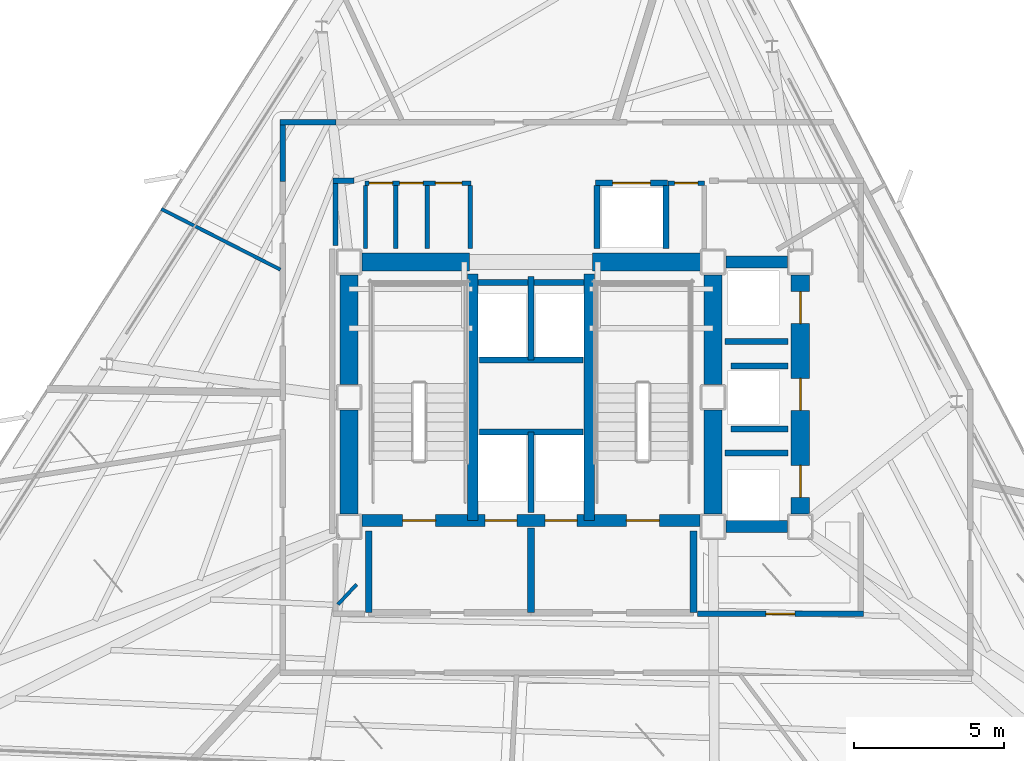
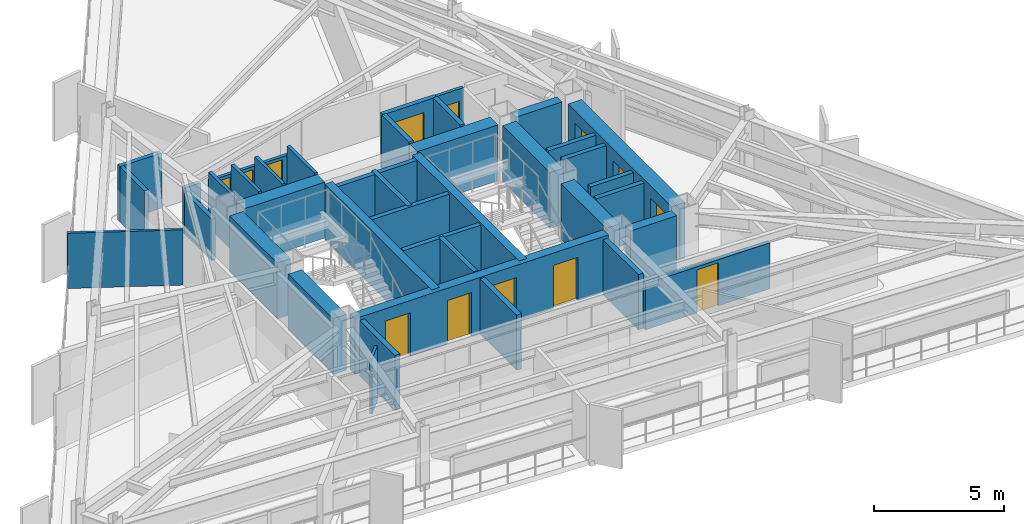
# One storey, part 8 of 12: 40 walls, 13 doors, 13 openings.
"""IFC4 building model written with IfcOpenShell, lengths in metres."""

from ifc_helpers import new_model, si_unit, direction, frame, frame_2d, origin, place, context, subcontext, project, spatial, rectangle, extrude, material, layer, layer_set, type_object, element, fill, save


model = new_model("IFC4")

# Units and contexts
model_context = context("Model", 3, precision=1e-05, world=origin(), true_north=direction((0.0, 1.0)))
body_context = subcontext(model_context, "Body", "Model", "MODEL_VIEW")
ifc_project = project(units=[si_unit("LENGTHUNIT", "METRE"), si_unit("AREAUNIT", "SQUARE_METRE"), si_unit("VOLUMEUNIT", "CUBIC_METRE"), si_unit("PLANEANGLEUNIT", "RADIAN"), si_unit("MASSUNIT", "GRAM", prefix="KILO")], contexts=[model_context])

# Site, building, storey
site_placement = place(None, origin())
site = spatial("IfcSite", under=ifc_project, at=site_placement, CompositionType="ELEMENT")
building_placement = place(site_placement, origin())
building = spatial("IfcBuilding", under=site, at=building_placement, Name="Rocaltana Carrier Exchange", CompositionType="ELEMENT")
storey_placement = place(building_placement, frame((0.0, 0.0, 144.159912109375)))
storey = spatial("IfcBuildingStorey", under=building, at=storey_placement, Name="L45", CompositionType="ELEMENT", Elevation=144.159912109375)

# Walls
ifc_material_1 = material(Name="Concrete C50/60", Category="concrete")
ifc_layer_1 = layer(ifc_material_1, 0.35009765625)
ifc_layer_set_1 = layer_set([ifc_layer_1], Name="Concrete C50/60")
wall_type_1 = type_object("IfcWallType", Name="Core Internal Shear Wall 350", PredefinedType="SHEAR", material=ifc_layer_set_1)
for number, where, z_axis, x_axis, name in (
    (1, (-1.93994140625, -4.10009765625, 0.0), (0.0, 0.0, 1.0), (0.0, 1.0, 0.0), "L45 Core Shear Wall CW-STW"),
    (2, (1.93994140625, -4.10009765625, 0.0), (0.0, 0.0, 1.0), (0.0, 1.0, 0.0), "L45 Core Shear Wall CW-STE"),
):
    element("IfcWall", number, at=place(storey_placement, frame(where, z_axis=z_axis, x_axis=x_axis)), inside=storey, type_object=wall_type_1, Name=name, PredefinedType="SHEAR", context=body_context, shape_type="SweptSolid", body=[
        extrude(rectangle(XDim=8.2001953125, YDim=0.35009765625, at=frame_2d((4.10009765625, 0.0))), origin(), (0.0, 0.0, 1.0), 2.6181640625),
    ])

# Wall, openings, doors
ifc_material_2 = material(Name="Concrete C50/60", Category="concrete")
ifc_layer_2 = layer(ifc_material_2, 0.39990234375)
ifc_layer_set_2 = layer_set([ifc_layer_2], Name="Concrete C50/60")
wall_type_2 = type_object("IfcWallType", Name="Core Internal Shear Wall 400", PredefinedType="SHEAR", material=ifc_layer_set_2)
wall_1_placement = place(storey_placement, frame((-5.625, -4.10009765625, 0.0), z_axis=(0.0, 0.0, 1.0), x_axis=(1.0, 0.0, 0.0)))
wall_1 = element("IfcWall", 3, at=wall_1_placement, inside=storey, type_object=wall_type_2, Name="L45 Core Shear Wall CW-S", PredefinedType="SHEAR", context=body_context, shape_type="SweptSolid", body=[
    extrude(rectangle(XDim=11.25, YDim=0.39990234375, at=frame_2d((5.625, 0.0))), origin(), (0.0, 0.0, 1.0), 2.6181640625),
])
opening_1_placement = place(wall_1_placement, frame((1.35498046875, 0.0, 0.0)))
opening_1 = element("IfcOpeningElement", 4, at=opening_1_placement, cuts=wall_1, Name="Opening D-ST110", PredefinedType="OPENING", context=body_context, shape_type="SweptSolid", body=[
    extrude(rectangle(XDim=1.10009765625, YDim=2.0400390625, at=frame_2d((0.550048828125, 1.02001953125))), frame((0.0, 0.2099609375, 0.0), z_axis=(0.0, -1.0, 0.0), x_axis=(1.0, 0.0, 0.0)), (0.0, 0.0, 1.0), 0.419921875),
])
opening_2_placement = place(wall_1_placement, frame((8.794921875, 0.0, 0.0)))
opening_2 = element("IfcOpeningElement", 5, at=opening_2_placement, cuts=wall_1, Name="Opening D-ST110", PredefinedType="OPENING", context=body_context, shape_type="SweptSolid", body=[
    extrude(rectangle(XDim=1.10009765625, YDim=2.0400390625, at=frame_2d((0.550048828125, 1.02001953125))), frame((0.0, 0.2099609375, 0.0), z_axis=(0.0, -1.0, 0.0), x_axis=(1.0, 0.0, 0.0)), (0.0, 0.0, 1.0), 0.419921875),
])
opening_3_placement = place(wall_1_placement, frame((4.094970703125, 0.0, 0.0)))
opening_3 = element("IfcOpeningElement", 6, at=opening_3_placement, cuts=wall_1, Name="Opening LD-110", PredefinedType="OPENING", context=body_context, shape_type="SweptSolid", body=[
    extrude(rectangle(XDim=1.06005859375, YDim=2.0400390625, at=frame_2d((0.530029296875, 1.02001953125))), frame((0.0, 0.2099609375, 0.0), z_axis=(0.0, -1.0, 0.0), x_axis=(1.0, 0.0, 0.0)), (0.0, 0.0, 1.0), 0.419921875),
])
opening_4_placement = place(wall_1_placement, frame((6.094970703125, 0.0, 0.0)))
opening_4 = element("IfcOpeningElement", 7, at=opening_4_placement, cuts=wall_1, Name="Opening LD-110", PredefinedType="OPENING", context=body_context, shape_type="SweptSolid", body=[
    extrude(rectangle(XDim=1.06005859375, YDim=2.0400390625, at=frame_2d((0.530029296875, 1.02001953125))), frame((0.0, 0.2099609375, 0.0), z_axis=(0.0, -1.0, 0.0), x_axis=(1.0, 0.0, 0.0)), (0.0, 0.0, 1.0), 0.419921875),
])
ifc_material_3 = material(Name="Hollow Metal Fire Door Assembly", Category="steel")
door_type_1 = type_object("IfcDoorType", Name="Exit Stair Fire Door 1100x2040 FD90S", OperationType="NOTDEFINED", PredefinedType="DOOR", material=ifc_material_3)
door_1_placement = place(opening_1_placement, origin())
door_1 = element("IfcDoor", 8, at=door_1_placement, inside=storey, type_object=door_type_1, Name="L45 Exit Stair ST1 Fire Door", OperationType="SINGLE_SWING_RIGHT", OverallHeight=2.0400390625, OverallWidth=1.10009765625, PredefinedType="DOOR", context=body_context, shape_type="SweptSolid", body=[
    extrude(rectangle(XDim=1.10009765625, YDim=2.0400390625, at=frame_2d((0.550048828125, 1.02001953125))), frame((0.0, 0.02490234375, 0.0), z_axis=(0.0, -1.0, 0.0), x_axis=(1.0, 0.0, 0.0)), (0.0, 0.0, 1.0), 0.050048828125),
])
fill(opening_1, door_1)
door_2_placement = place(opening_2_placement, origin())
door_2 = element("IfcDoor", 9, at=door_2_placement, inside=storey, type_object=door_type_1, Name="L45 Exit Stair ST2 Fire Door", OperationType="SINGLE_SWING_LEFT", OverallHeight=2.0400390625, OverallWidth=1.10009765625, PredefinedType="DOOR", context=body_context, shape_type="SweptSolid", body=[
    extrude(rectangle(XDim=1.10009765625, YDim=2.0400390625, at=frame_2d((0.550048828125, 1.02001953125))), frame((0.0, 0.02490234375, 0.0), z_axis=(0.0, -1.0, 0.0), x_axis=(1.0, 0.0, 0.0)), (0.0, 0.0, 1.0), 0.050048828125),
])
fill(opening_2, door_2)
ifc_material_4 = material(Name="Brushed Stainless Sliding Door Leaf", Category="steel")
door_type_2 = type_object("IfcDoorType", Name="Lift Landing Sliding Door 1060x2040", OperationType="NOTDEFINED", PredefinedType="DOOR", material=ifc_material_4)
door_3_placement = place(opening_3_placement, origin())
door_3 = element("IfcDoor", 10, at=door_3_placement, inside=storey, type_object=door_type_2, Name="L45 Firefighting Lift FFL1 Landing Door", OperationType="SLIDING_TO_LEFT", OverallHeight=2.0400390625, OverallWidth=1.06005859375, PredefinedType="DOOR", context=body_context, shape_type="SweptSolid", body=[
    extrude(rectangle(XDim=1.06005859375, YDim=2.0400390625, at=frame_2d((0.530029296875, 1.02001953125))), frame((0.0, 0.02490234375, 0.0), z_axis=(0.0, -1.0, 0.0), x_axis=(1.0, 0.0, 0.0)), (0.0, 0.0, 1.0), 0.050048828125),
])
fill(opening_3, door_3)
door_4_placement = place(opening_4_placement, origin())
door_4 = element("IfcDoor", 11, at=door_4_placement, inside=storey, type_object=door_type_2, Name="L45 Firefighting Lift FFL2 Landing Door", OperationType="SLIDING_TO_RIGHT", OverallHeight=2.0400390625, OverallWidth=1.06005859375, PredefinedType="DOOR", context=body_context, shape_type="SweptSolid", body=[
    extrude(rectangle(XDim=1.06005859375, YDim=2.0400390625, at=frame_2d((0.530029296875, 1.02001953125))), frame((0.0, 0.02490234375, 0.0), z_axis=(0.0, -1.0, 0.0), x_axis=(1.0, 0.0, 0.0)), (0.0, 0.0, 1.0), 0.050048828125),
])
fill(opening_4, door_4)

# Walls
for number, where, z_axis, x_axis, name in (
    (12, (6.47509765625, 4.5, 0.0), (0.0, 0.0, 1.0), (1.0, 0.0, 0.0), "L45 Core Shear Wall CW-EWN"),
    (13, (6.47509765625, -4.300048828125, 0.0), (0.0, 0.0, 1.0), (1.0, 0.0, 0.0), "L45 Core Shear Wall CW-EWS"),
):
    element("IfcWall", number, at=place(storey_placement, frame(where, z_axis=z_axis, x_axis=x_axis)), inside=storey, type_object=wall_type_2, Name=name, PredefinedType="SHEAR", context=body_context, shape_type="SweptSolid", body=[
        extrude(rectangle(XDim=2.0498046875, YDim=0.39990234375, at=frame_2d((1.02490234375, 0.0))), origin(), (0.0, 0.0, 1.0), 2.6181640625),
    ])
ifc_material_5 = material(Name="Concrete C50/60", Category="concrete")
ifc_layer_3 = layer(ifc_material_5, 0.60009765625)
ifc_layer_set_3 = layer_set([ifc_layer_3], Name="Concrete C50/60")
wall_type_3 = type_object("IfcWallType", Name="Core Shear Wall 600", PredefinedType="SHEAR", material=ifc_layer_set_3)
wall_2_placement = place(storey_placement, frame((-6.050048828125, 0.425048828125, 0.0), z_axis=(0.0, 0.0, 1.0), x_axis=(0.0, 1.0, 0.0)))
element("IfcWall", 14, at=wall_2_placement, inside=storey, type_object=wall_type_3, Name="L45 Core Shear Wall CW-WN", PredefinedType="SHEAR", context=body_context, shape_type="SweptSolid", body=[
    extrude(rectangle(XDim=3.64990234375, YDim=0.60009765625, at=frame_2d((1.824951171875, 0.0))), origin(), (0.0, 0.0, 1.0), 2.6181640625),
])
wall_3_placement = place(storey_placement, frame((-6.050048828125, -3.875, 0.0), z_axis=(0.0, 0.0, 1.0), x_axis=(0.0, 1.0, 0.0)))
element("IfcWall", 15, at=wall_3_placement, inside=storey, type_object=wall_type_3, Name="L45 Core Shear Wall CW-WS", PredefinedType="SHEAR", context=body_context, shape_type="SweptSolid", body=[
    extrude(rectangle(XDim=3.449951171875, YDim=0.60009765625, at=frame_2d((1.72509765625, 0.0))), origin(), (0.0, 0.0, 1.0), 2.6181640625),
])
wall_4_placement = place(storey_placement, frame((6.050048828125, 0.425048828125, 0.0), z_axis=(0.0, 0.0, 1.0), x_axis=(0.0, 1.0, 0.0)))
element("IfcWall", 16, at=wall_4_placement, inside=storey, type_object=wall_type_3, Name="L45 Core Shear Wall CW-EN", PredefinedType="SHEAR", context=body_context, shape_type="SweptSolid", body=[
    extrude(rectangle(XDim=3.64990234375, YDim=0.60009765625, at=frame_2d((1.824951171875, 0.0))), origin(), (0.0, 0.0, 1.0), 2.6181640625),
])
wall_5_placement = place(storey_placement, frame((6.050048828125, -3.875, 0.0), z_axis=(0.0, 0.0, 1.0), x_axis=(0.0, 1.0, 0.0)))
element("IfcWall", 17, at=wall_5_placement, inside=storey, type_object=wall_type_3, Name="L45 Core Shear Wall CW-ES", PredefinedType="SHEAR", context=body_context, shape_type="SweptSolid", body=[
    extrude(rectangle(XDim=3.449951171875, YDim=0.60009765625, at=frame_2d((1.72509765625, 0.0))), origin(), (0.0, 0.0, 1.0), 2.6181640625),
])
for number, where, z_axis, x_axis, name in (
    (18, (-5.625, 4.5, 0.0), (0.0, 0.0, 1.0), (1.0, 0.0, 0.0), "L45 Core Shear Wall CW-N1"),
    (19, (2.050048828125, 4.5, 0.0), (0.0, 0.0, 1.0), (1.0, 0.0, 0.0), "L45 Core Shear Wall CW-N2"),
):
    element("IfcWall", number, at=place(storey_placement, frame(where, z_axis=z_axis, x_axis=x_axis)), inside=storey, type_object=wall_type_3, Name=name, PredefinedType="SHEAR", context=body_context, shape_type="SweptSolid", body=[
        extrude(rectangle(XDim=3.574951171875, YDim=0.60009765625, at=frame_2d((1.78759765625, 0.0))), origin(), (0.0, 0.0, 1.0), 2.6181640625),
    ])

# Wall, openings, doors
wall_6_placement = place(storey_placement, frame((8.949951171875, -3.875, 0.0), z_axis=(0.0, 0.0, 1.0), x_axis=(0.0, 1.0, 0.0)))
wall_6 = element("IfcWall", 20, at=wall_6_placement, inside=storey, type_object=wall_type_3, Name="L45 Core Shear Wall CW-EW", PredefinedType="SHEAR", context=body_context, shape_type="SweptSolid", body=[
    extrude(rectangle(XDim=7.949951171875, YDim=0.60009765625, at=frame_2d((3.97509765625, 0.0))), origin(), (0.0, 0.0, 1.0), 2.6181640625),
])
opening_5_placement = place(wall_6_placement, frame((0.550048828125, 0.0, 0.0)))
opening_5 = element("IfcOpeningElement", 21, at=opening_5_placement, cuts=wall_6, Name="Opening LD-110", PredefinedType="OPENING", context=body_context, shape_type="SweptSolid", body=[
    extrude(rectangle(XDim=1.06005859375, YDim=2.0400390625, at=frame_2d((0.530029296875, 1.02001953125))), frame((0.0, 0.31005859375, 0.0), z_axis=(0.0, -1.0, 0.0), x_axis=(1.0, 0.0, 0.0)), (0.0, 0.0, 1.0), 0.6201171875),
])
opening_6_placement = place(wall_6_placement, frame((3.445068359375, 0.0, 0.0)))
opening_6 = element("IfcOpeningElement", 22, at=opening_6_placement, cuts=wall_6, Name="Opening LD-110", PredefinedType="OPENING", context=body_context, shape_type="SweptSolid", body=[
    extrude(rectangle(XDim=1.06005859375, YDim=2.0400390625, at=frame_2d((0.530029296875, 1.02001953125))), frame((0.0, 0.31005859375, 0.0), z_axis=(0.0, -1.0, 0.0), x_axis=(1.0, 0.0, 0.0)), (0.0, 0.0, 1.0), 0.6201171875),
])
opening_7_placement = place(wall_6_placement, frame((6.330078125, 0.0, 0.0)))
opening_7 = element("IfcOpeningElement", 23, at=opening_7_placement, cuts=wall_6, Name="Opening LD-110", PredefinedType="OPENING", context=body_context, shape_type="SweptSolid", body=[
    extrude(rectangle(XDim=1.06005859375, YDim=2.0400390625, at=frame_2d((0.530029296875, 1.02001953125))), frame((0.0, 0.31005859375, 0.0), z_axis=(0.0, -1.0, 0.0), x_axis=(1.0, 0.0, 0.0)), (0.0, 0.0, 1.0), 0.6201171875),
])
door_5_placement = place(opening_5_placement, origin())
door_5 = element("IfcDoor", 24, at=door_5_placement, inside=storey, type_object=door_type_2, Name="L45 Mid-Rise Lift PL-M1 Landing Door", OperationType="SLIDING_TO_LEFT", OverallHeight=2.0400390625, OverallWidth=1.06005859375, PredefinedType="DOOR", context=body_context, shape_type="SweptSolid", body=[
    extrude(rectangle(XDim=1.06005859375, YDim=2.0400390625, at=frame_2d((0.530029296875, 1.02001953125))), frame((0.0, 0.02490234375, 0.0), z_axis=(0.0, -1.0, 0.0), x_axis=(1.0, 0.0, 0.0)), (0.0, 0.0, 1.0), 0.050048828125),
])
fill(opening_5, door_5)
door_6_placement = place(opening_6_placement, origin())
door_6 = element("IfcDoor", 25, at=door_6_placement, inside=storey, type_object=door_type_2, Name="L45 Mid-Rise Lift PL-M2 Landing Door", OperationType="SLIDING_TO_RIGHT", OverallHeight=2.0400390625, OverallWidth=1.06005859375, PredefinedType="DOOR", context=body_context, shape_type="SweptSolid", body=[
    extrude(rectangle(XDim=1.06005859375, YDim=2.0400390625, at=frame_2d((0.530029296875, 1.02001953125))), frame((0.0, 0.02490234375, 0.0), z_axis=(0.0, -1.0, 0.0), x_axis=(1.0, 0.0, 0.0)), (0.0, 0.0, 1.0), 0.050048828125),
])
fill(opening_6, door_6)
door_7_placement = place(opening_7_placement, origin())
door_7 = element("IfcDoor", 26, at=door_7_placement, inside=storey, type_object=door_type_2, Name="L45 Mid-Rise Lift PL-M3 Landing Door", OperationType="SLIDING_TO_LEFT", OverallHeight=2.0400390625, OverallWidth=1.06005859375, PredefinedType="DOOR", context=body_context, shape_type="SweptSolid", body=[
    extrude(rectangle(XDim=1.06005859375, YDim=2.0400390625, at=frame_2d((0.530029296875, 1.02001953125))), frame((0.0, 0.02490234375, 0.0), z_axis=(0.0, -1.0, 0.0), x_axis=(1.0, 0.0, 0.0)), (0.0, 0.0, 1.0), 0.050048828125),
])
fill(opening_7, door_7)

# Walls
ifc_material_6 = material(Name="Gypsum & Steel Stud Partition", Category="steel")
ifc_layer_4 = layer(ifc_material_6, 0.179931640625)
ifc_layer_set_4 = layer_set([ifc_layer_4], Name="Gypsum & Steel Stud Partition")
wall_type_4 = type_object("IfcWallType", Name="Corridor Fire Partition 180 EI60", PredefinedType="PARTITIONING", material=ifc_layer_set_4)
wall_7_placement = place(storey_placement, frame((-8.25, 7.179931640625, 0.0), z_axis=(0.0, 0.0, 1.0), x_axis=(0.0, 1.0, 0.0)))
element("IfcWall", 27, at=wall_7_placement, inside=storey, type_object=wall_type_4, Name="L45 Corridor Partition 4", PredefinedType="PARTITIONING", context=body_context, shape_type="SweptSolid", body=[
    extrude(rectangle(XDim=1.880126953125, YDim=0.179931640625, at=frame_2d((0.93994140625, 0.0))), origin(), (0.0, 0.0, 1.0), 2.593017578125),
])
wall_8_placement = place(storey_placement, frame((-8.340087890625, 9.14990234375, 0.0), z_axis=(0.0, 0.0, 1.0), x_axis=(1.0, 0.0, 0.0)))
element("IfcWall", 28, at=wall_8_placement, inside=storey, type_object=wall_type_4, Name="L45 Corridor Partition 5", PredefinedType="PARTITIONING", context=body_context, shape_type="SweptSolid", body=[
    extrude(rectangle(XDim=1.860107421875, YDim=0.179931640625, at=frame_2d((0.93017578125, 0.0))), origin(), (0.0, 0.0, 1.0), 2.593017578125),
])

# Wall, opening, door
wall_9_placement = place(storey_placement, frame((5.530029296875, -7.199951171875, 0.0), z_axis=(0.0, 0.0, 1.0), x_axis=(1.0, 0.0, 0.0)))
wall_9 = element("IfcWall", 29, at=wall_9_placement, inside=storey, type_object=wall_type_4, Name="L45 Corridor Partition 12", PredefinedType="PARTITIONING", context=body_context, shape_type="SweptSolid", body=[
    extrude(rectangle(XDim=5.52001953125, YDim=0.179931640625, at=frame_2d((2.760009765625, 0.0))), origin(), (0.0, 0.0, 1.0), 2.16015625),
])
opening_8_placement = place(wall_9_placement, frame((2.280029296875, 0.0, 0.0)))
opening_8 = element("IfcOpeningElement", 30, at=opening_8_placement, cuts=wall_9, Name="Opening D-RM098", PredefinedType="OPENING", context=body_context, shape_type="SweptSolid", body=[
    extrude(rectangle(XDim=0.9599609375, YDim=2.02001953125, at=frame_2d((0.47998046875, 1.010009765625))), frame((0.0, 0.099853515625, 0.0), z_axis=(0.0, -1.0, 0.0), x_axis=(1.0, 0.0, 0.0)), (0.0, 0.0, 1.0), 0.199951171875),
])
ifc_material_7 = material(Name="Engineered Hardwood Timber", Category="wood")
door_type_3 = type_object("IfcDoorType", Name="Workspace Single Door 960x2020", OperationType="NOTDEFINED", PredefinedType="DOOR", material=ifc_material_7)
door_8_placement = place(opening_8_placement, origin())
door_8 = element("IfcDoor", 31, at=door_8_placement, inside=storey, type_object=door_type_3, Name="L45 Peering Conference Room Entrance Door", OperationType="SINGLE_SWING_RIGHT", OverallHeight=2.02001953125, OverallWidth=0.9599609375, PredefinedType="DOOR", context=body_context, shape_type="SweptSolid", body=[
    extrude(rectangle(XDim=0.9599609375, YDim=2.02001953125, at=frame_2d((0.47998046875, 1.010009765625))), frame((0.0, 0.02490234375, 0.0), z_axis=(0.0, -1.0, 0.0), x_axis=(1.0, 0.0, 0.0)), (0.0, 0.0, 1.0), 0.050048828125),
])
fill(opening_8, door_8)

# Walls
wall_10_placement = place(storey_placement, frame((-5.8798828125, 7.199951171875, 0.0), z_axis=(0.0, 0.0, 1.0), x_axis=(-1.0, 0.0, 0.0)))
element("IfcWall", 32, at=wall_10_placement, inside=storey, type_object=wall_type_4, Name="L45 Corridor Partition 16", PredefinedType="PARTITIONING", context=body_context, shape_type="SweptSolid", body=[
    extrude(rectangle(XDim=0.710205078125, YDim=0.179931640625, at=frame_2d((0.35498046875, 0.0))), origin(), (0.0, 0.0, 1.0), 2.16015625),
])
wall_11_placement = place(storey_placement, frame((-6.5, 7.110107421875, 0.0), z_axis=(0.0, 0.0, 1.0), x_axis=(0.0, -1.0, 0.0)))
element("IfcWall", 33, at=wall_11_placement, inside=storey, type_object=wall_type_4, Name="L45 Corridor Partition 17", PredefinedType="PARTITIONING", context=body_context, shape_type="SweptSolid", body=[
    extrude(rectangle(XDim=2.058349609375, YDim=0.179931640625, at=frame_2d((1.029296875, 0.0))), origin(), (0.0, 0.0, 1.0), 1.962158203125),
])
ifc_material_8 = material(Name="Aluminium 6063-T6 & Acoustic Glass", Category="aluminium")
ifc_layer_5 = layer(ifc_material_8, 0.114990234375)
ifc_layer_set_5 = layer_set([ifc_layer_5], Name="Aluminium 6063-T6 & Acoustic Glass")
wall_type_5 = type_object("IfcWallType", Name="Demountable Glazed Lab Partition 115", PredefinedType="MOVABLE", material=ifc_layer_set_5)
wall_12_placement = place(storey_placement, frame((-5.800048828125, -6.2197265625, 0.0), z_axis=(0.0, 0.0, 1.0), x_axis=(-0.681964083565, -0.731385663469, 0.0)))
element("IfcWall", 34, at=wall_12_placement, inside=storey, type_object=wall_type_5, Name="L45 Suite Divider Wall D2", PredefinedType="MOVABLE", context=body_context, shape_type="SweptSolid", body=[
    extrude(rectangle(XDim=0.908935546875, YDim=0.114990234375, at=frame_2d((0.45458984375, 0.0))), origin(), (0.0, 0.0, 1.0), 2.593017578125),
])
wall_13_placement = place(storey_placement, frame((-8.330078125, 4.244384765625, 0.0), z_axis=(0.0, 0.0, 1.0), x_axis=(-0.890996324909, 0.454010516397, 0.0)))
element("IfcWall", 35, at=wall_13_placement, inside=storey, type_object=wall_type_5, Name="L45 Suite Divider Wall D11", PredefinedType="MOVABLE", context=body_context, shape_type="SweptSolid", body=[
    extrude(rectangle(XDim=4.445556640625, YDim=0.114990234375, at=frame_2d((2.22265625, 0.0))), origin(), (0.0, 0.0, 1.0), 2.593017578125),
])
ifc_material_9 = material(Name="Autoclaved Aerated Concrete C30/37", Category="concrete")
ifc_layer_6 = layer(ifc_material_9, 0.219970703125)
ifc_layer_set_6 = layer_set([ifc_layer_6], Name="Autoclaved Aerated Concrete C30/37")
wall_type_6 = type_object("IfcWallType", Name="Firefighting Lobby Wall 220 EI120", PredefinedType="PARTITIONING", material=ifc_layer_set_6)
for number, where, z_axis, x_axis, name in (
    (36, (-5.39990234375, -7.159912109375, 0.0), (0.0, 0.0, 1.0), (0.0, 1.0, 0.0), "L45 FFL Lobby 1 West Wall"),
    (37, (5.39990234375, -7.159912109375, 0.0), (0.0, 0.0, 1.0), (0.0, 1.0, 0.0), "L45 FFL Lobby 2 East Wall"),
):
    element("IfcWall", number, at=place(storey_placement, frame(where, z_axis=z_axis, x_axis=x_axis)), inside=storey, type_object=wall_type_6, Name=name, PredefinedType="PARTITIONING", context=body_context, shape_type="SweptSolid", body=[
        extrude(rectangle(XDim=2.7099609375, YDim=0.219970703125, at=frame_2d((1.35498046875, 0.0))), origin(), (0.0, 0.0, 1.0), 2.593017578125),
    ])
wall_14_placement = place(storey_placement, frame((0.0, -7.159912109375, 0.0), z_axis=(0.0, 0.0, 1.0), x_axis=(0.0, 1.0, 0.0)))
element("IfcWall", 38, at=wall_14_placement, inside=storey, type_object=wall_type_6, Name="L45 FFL Lobby Centre Wall", PredefinedType="PARTITIONING", context=body_context, shape_type="SweptSolid", body=[
    extrude(rectangle(XDim=2.809814453125, YDim=0.219970703125, at=frame_2d((1.40478515625, 0.0))), origin(), (0.0, 0.0, 1.0), 2.593017578125),
])
ifc_material_10 = material(Name="Reinforced Concrete Block C35/45", Category="concrete")
ifc_layer_7 = layer(ifc_material_10, 0.199951171875)
ifc_layer_set_7 = layer_set([ifc_layer_7], Name="Reinforced Concrete Block C35/45")
wall_type_7 = type_object("IfcWallType", Name="Lift Hoistway Enclosure Wall 200 EI120", PredefinedType="PARTITIONING", material=ifc_layer_set_7)
wall_15_placement = place(storey_placement, frame((0.0, -3.820068359375, 0.0), z_axis=(0.0, 0.0, 1.0), x_axis=(0.0, 1.0, 0.0)))
element("IfcWall", 39, at=wall_15_placement, inside=storey, type_object=wall_type_7, Name="L45 FFL Shaft Divider", PredefinedType="PARTITIONING", context=body_context, shape_type="SweptSolid", body=[
    extrude(rectangle(XDim=2.670166015625, YDim=0.199951171875, at=frame_2d((1.3349609375, 0.0))), origin(), (0.0, 0.0, 1.0), 2.593017578125),
])
wall_16_placement = place(storey_placement, frame((-1.719970703125, -1.14990234375, 0.0), z_axis=(0.0, 0.0, 1.0), x_axis=(1.0, 0.0, 0.0)))
element("IfcWall", 40, at=wall_16_placement, inside=storey, type_object=wall_type_7, Name="L45 FFL Shaft Back Wall", PredefinedType="PARTITIONING", context=body_context, shape_type="SweptSolid", body=[
    extrude(rectangle(XDim=3.43994140625, YDim=0.199951171875, at=frame_2d((1.719970703125, 0.0))), origin(), (0.0, 0.0, 1.0), 2.593017578125),
])
wall_17_placement = place(storey_placement, frame((0.0, 1.25, 0.0), z_axis=(0.0, 0.0, 1.0), x_axis=(0.0, 1.0, 0.0)))
element("IfcWall", 41, at=wall_17_placement, inside=storey, type_object=wall_type_7, Name="L45 High-Rise Shaft Divider", PredefinedType="PARTITIONING", context=body_context, shape_type="SweptSolid", body=[
    extrude(rectangle(XDim=2.77001953125, YDim=0.199951171875, at=frame_2d((1.385009765625, 0.0))), origin(), (0.0, 0.0, 1.0), 2.593017578125),
])
wall_18_placement = place(storey_placement, frame((-1.719970703125, 1.25, 0.0), z_axis=(0.0, 0.0, 1.0), x_axis=(1.0, 0.0, 0.0)))
element("IfcWall", 42, at=wall_18_placement, inside=storey, type_object=wall_type_7, Name="L45 High-Rise Shaft Back Wall", PredefinedType="PARTITIONING", context=body_context, shape_type="SweptSolid", body=[
    extrude(rectangle(XDim=3.43994140625, YDim=0.199951171875, at=frame_2d((1.719970703125, 0.0))), origin(), (0.0, 0.0, 1.0), 2.593017578125),
])
wall_19_placement = place(storey_placement, frame((-1.760009765625, 3.820068359375, 0.0), z_axis=(0.0, 0.0, 1.0), x_axis=(1.0, 0.0, 0.0)))
element("IfcWall", 43, at=wall_19_placement, inside=storey, type_object=wall_type_7, Name="L45 High-Rise Lift Front Wall", PredefinedType="PARTITIONING", context=body_context, shape_type="SweptSolid", body=[
    extrude(rectangle(XDim=3.52001953125, YDim=0.199951171875, at=frame_2d((1.760009765625, 0.0))), origin(), (0.0, 0.0, 1.0), 2.593017578125),
])
for number, where, z_axis, x_axis, name in (
    (44, (2.199951171875, 4.949951171875, 0.0), (0.0, 0.0, 1.0), (0.0, 1.0, 0.0), "L45 Goods Lift West Wall"),
    (45, (4.47998046875, 4.949951171875, 0.0), (0.0, 0.0, 1.0), (0.0, 1.0, 0.0), "L45 Goods Lift East Wall"),
):
    element("IfcWall", number, at=place(storey_placement, frame(where, z_axis=z_axis, x_axis=x_axis)), inside=storey, type_object=wall_type_7, Name=name, PredefinedType="PARTITIONING", context=body_context, shape_type="SweptSolid", body=[
        extrude(rectangle(XDim=2.10009765625, YDim=0.199951171875, at=frame_2d((1.050048828125, 0.0))), origin(), (0.0, 0.0, 1.0), 2.593017578125),
    ])

# Wall, opening, door
wall_20_placement = place(storey_placement, frame((2.14990234375, 7.1201171875, 0.0), z_axis=(0.0, 0.0, 1.0), x_axis=(1.0, 0.0, 0.0)))
wall_20 = element("IfcWall", 46, at=wall_20_placement, inside=storey, type_object=wall_type_7, Name="L45 Goods Lift Front Wall", PredefinedType="PARTITIONING", context=body_context, shape_type="SweptSolid", body=[
    extrude(rectangle(XDim=2.380126953125, YDim=0.199951171875, at=frame_2d((1.18994140625, 0.0))), origin(), (0.0, 0.0, 1.0), 2.593017578125),
])
opening_9_placement = place(wall_20_placement, frame((0.56005859375, 0.0, 0.0)))
opening_9 = element("IfcOpeningElement", 47, at=opening_9_placement, cuts=wall_20, Name="Opening LD-130", PredefinedType="OPENING", context=body_context, shape_type="SweptSolid", body=[
    extrude(rectangle(XDim=1.260009765625, YDim=2.06005859375, at=frame_2d((0.6298828125, 1.030029296875))), frame((0.0, 0.10986328125, 0.0), z_axis=(0.0, -1.0, 0.0), x_axis=(1.0, 0.0, 0.0)), (0.0, 0.0, 1.0), 0.219970703125),
])
ifc_material_11 = material(Name="Brushed Stainless Sliding Door Leaf", Category="steel")
door_type_4 = type_object("IfcDoorType", Name="Goods Lift Landing Sliding Door 1260x2060", OperationType="NOTDEFINED", PredefinedType="DOOR", material=ifc_material_11)
door_9_placement = place(opening_9_placement, origin())
door_9 = element("IfcDoor", 48, at=door_9_placement, inside=storey, type_object=door_type_4, Name="L45 Goods Lift GL-1 Landing Door", OperationType="SLIDING_TO_LEFT", OverallHeight=2.06005859375, OverallWidth=1.260009765625, PredefinedType="DOOR", context=body_context, shape_type="SweptSolid", body=[
    extrude(rectangle(XDim=1.260009765625, YDim=2.06005859375, at=frame_2d((0.6298828125, 1.030029296875))), frame((0.0, 0.02490234375, 0.0), z_axis=(0.0, -1.0, 0.0), x_axis=(1.0, 0.0, 0.0)), (0.0, 0.0, 1.0), 0.050048828125),
])
fill(opening_9, door_9)

# Walls
for number, where, z_axis, x_axis, name in (
    (49, (6.449951171875, -1.85009765625, 0.0), (0.0, 0.0, 1.0), (1.0, 0.0, 0.0), "L45 Mid-Rise Shaft Divider 1"),
    (50, (6.449951171875, 1.85009765625, 0.0), (0.0, 0.0, 1.0), (1.0, 0.0, 0.0), "L45 Mid-Rise Shaft Divider 2"),
):
    element("IfcWall", number, at=place(storey_placement, frame(where, z_axis=z_axis, x_axis=x_axis)), inside=storey, type_object=wall_type_7, Name=name, PredefinedType="PARTITIONING", context=body_context, shape_type="SweptSolid", body=[
        extrude(rectangle(XDim=2.10009765625, YDim=0.199951171875, at=frame_2d((1.050048828125, 0.0))), origin(), (0.0, 0.0, 1.0), 2.593017578125),
    ])
for number, where, z_axis, x_axis, name in (
    (51, (6.639892578125, -1.050048828125, 0.0), (0.0, 0.0, 1.0), (1.0, 0.0, 0.0), "L45 Mid-Rise Center Shaft Wall South"),
    (52, (6.639892578125, 1.050048828125, 0.0), (0.0, 0.0, 1.0), (1.0, 0.0, 0.0), "L45 Mid-Rise Center Shaft Wall North"),
):
    element("IfcWall", number, at=place(storey_placement, frame(where, z_axis=z_axis, x_axis=x_axis)), inside=storey, type_object=wall_type_7, Name=name, PredefinedType="PARTITIONING", context=body_context, shape_type="SweptSolid", body=[
        extrude(rectangle(XDim=1.91015625, YDim=0.199951171875, at=frame_2d((0.955078125, 0.0))), origin(), (0.0, 0.0, 1.0), 2.593017578125),
    ])
ifc_material_12 = material(Name="Moisture-Resistant Masonry C30/37", Category="masonry")
ifc_layer_8 = layer(ifc_material_12, 0.139892578125)
ifc_layer_set_8 = layer_set([ifc_layer_8], Name="Moisture-Resistant Masonry C30/37")
wall_type_8 = type_object("IfcWallType", Name="Wet-Area Sanitary Partition 140", PredefinedType="PARTITIONING", material=ifc_layer_set_8)
for number, where, z_axis, x_axis, name in (
    (53, (-5.5, 4.949951171875, 0.0), (0.0, 0.0, 1.0), (0.0, 1.0, 0.0), "L45 Sanitary West Wall"),
    (54, (-4.5, 4.949951171875, 0.0), (0.0, 0.0, 1.0), (0.0, 1.0, 0.0), "L45 Sanitary Divider 1"),
    (55, (-3.449951171875, 4.949951171875, 0.0), (0.0, 0.0, 1.0), (0.0, 1.0, 0.0), "L45 Sanitary Divider 2"),
    (56, (-2.02001953125, 4.949951171875, 0.0), (0.0, 0.0, 1.0), (0.0, 1.0, 0.0), "L45 Sanitary East Wall"),
):
    element("IfcWall", number, at=place(storey_placement, frame(where, z_axis=z_axis, x_axis=x_axis)), inside=storey, type_object=wall_type_8, Name=name, PredefinedType="PARTITIONING", context=body_context, shape_type="SweptSolid", body=[
        extrude(rectangle(XDim=2.10009765625, YDim=0.139892578125, at=frame_2d((1.050048828125, 0.0))), origin(), (0.0, 0.0, 1.0), 2.593017578125),
    ])

# Wall, openings, doors
wall_21_placement = place(storey_placement, frame((-5.52001953125, 7.1201171875, 0.0), z_axis=(0.0, 0.0, 1.0), x_axis=(1.0, 0.0, 0.0)))
wall_21 = element("IfcWall", 57, at=wall_21_placement, inside=storey, type_object=wall_type_8, Name="L45 Sanitary North Wall", PredefinedType="PARTITIONING", context=body_context, shape_type="SweptSolid", body=[
    extrude(rectangle(XDim=3.52001953125, YDim=0.139892578125, at=frame_2d((1.760009765625, 0.0))), origin(), (0.0, 0.0, 1.0), 2.16015625),
])
opening_10_placement = place(wall_21_placement, frame((0.139892578125, 0.0, 0.0)))
opening_10 = element("IfcOpeningElement", 58, at=opening_10_placement, cuts=wall_21, Name="Opening D-RS082", PredefinedType="OPENING", context=body_context, shape_type="SweptSolid", body=[
    extrude(rectangle(XDim=0.780029296875, YDim=2.010009765625, at=frame_2d((0.39013671875, 1.0048828125))), frame((0.0, 0.079833984375, 0.0), z_axis=(0.0, -1.0, 0.0), x_axis=(1.0, 0.0, 0.0)), (0.0, 0.0, 1.0), 0.159912109375),
])
opening_11_placement = place(wall_21_placement, frame((1.14990234375, 0.0, 0.0)))
opening_11 = element("IfcOpeningElement", 59, at=opening_11_placement, cuts=wall_21, Name="Opening D-RS082", PredefinedType="OPENING", context=body_context, shape_type="SweptSolid", body=[
    extrude(rectangle(XDim=0.780029296875, YDim=2.010009765625, at=frame_2d((0.39013671875, 1.0048828125))), frame((0.0, 0.079833984375, 0.0), z_axis=(0.0, -1.0, 0.0), x_axis=(1.0, 0.0, 0.0)), (0.0, 0.0, 1.0), 0.159912109375),
])
opening_12_placement = place(wall_21_placement, frame((2.340087890625, 0.0, 0.0)))
opening_12 = element("IfcOpeningElement", 60, at=opening_12_placement, cuts=wall_21, Name="Opening D-WC090", PredefinedType="OPENING", context=body_context, shape_type="SweptSolid", body=[
    extrude(rectangle(XDim=0.8798828125, YDim=2.02001953125, at=frame_2d((0.43994140625, 1.010009765625))), frame((0.0, 0.079833984375, 0.0), z_axis=(0.0, -1.0, 0.0), x_axis=(1.0, 0.0, 0.0)), (0.0, 0.0, 1.0), 0.159912109375),
])
ifc_material_13 = material(Name="High-Pressure Laminate Timber", Category="wood")
door_type_5 = type_object("IfcDoorType", Name="Restroom & Accessible WC Door 880x2020", OperationType="NOTDEFINED", PredefinedType="DOOR", material=ifc_material_13)
door_10_placement = place(opening_12_placement, origin())
door_10 = element("IfcDoor", 61, at=door_10_placement, inside=storey, type_object=door_type_5, Name="L45 Accessible Toilet Door", OperationType="SINGLE_SWING_RIGHT", OverallHeight=2.02001953125, OverallWidth=0.8798828125, PredefinedType="DOOR", context=body_context, shape_type="SweptSolid", body=[
    extrude(rectangle(XDim=0.8798828125, YDim=2.02001953125, at=frame_2d((0.43994140625, 1.010009765625))), frame((0.0, 0.02490234375, 0.0), z_axis=(0.0, -1.0, 0.0), x_axis=(1.0, 0.0, 0.0)), (0.0, 0.0, 1.0), 0.050048828125),
])
fill(opening_12, door_10)
ifc_material_14 = material(Name="Hollow Metal Access Door Leaf", Category="steel")
door_type_6 = type_object("IfcDoorType", Name="Riser & Service Closet Door 780x2010", OperationType="NOTDEFINED", PredefinedType="DOOR", material=ifc_material_14)
door_11_placement = place(opening_10_placement, origin())
door_11 = element("IfcDoor", 62, at=door_11_placement, inside=storey, type_object=door_type_6, Name="L45 Cleaner Store Door", OperationType="SINGLE_SWING_RIGHT", OverallHeight=2.010009765625, OverallWidth=0.780029296875, PredefinedType="DOOR", context=body_context, shape_type="SweptSolid", body=[
    extrude(rectangle(XDim=0.780029296875, YDim=2.010009765625, at=frame_2d((0.39013671875, 1.0048828125))), frame((0.0, 0.02490234375, 0.0), z_axis=(0.0, -1.0, 0.0), x_axis=(1.0, 0.0, 0.0)), (0.0, 0.0, 1.0), 0.050048828125),
])
fill(opening_10, door_11)
door_12_placement = place(opening_11_placement, origin())
door_12 = element("IfcDoor", 63, at=door_12_placement, inside=storey, type_object=door_type_6, Name="L45 Staff Restroom Door", OperationType="SINGLE_SWING_LEFT", OverallHeight=2.010009765625, OverallWidth=0.780029296875, PredefinedType="DOOR", context=body_context, shape_type="SweptSolid", body=[
    extrude(rectangle(XDim=0.780029296875, YDim=2.010009765625, at=frame_2d((0.39013671875, 1.0048828125))), frame((0.0, 0.02490234375, 0.0), z_axis=(0.0, -1.0, 0.0), x_axis=(1.0, 0.0, 0.0)), (0.0, 0.0, 1.0), 0.050048828125),
])
fill(opening_11, door_12)

# Wall, opening, door
wall_22_placement = place(storey_placement, frame((4.56005859375, 7.1201171875, 0.0), z_axis=(0.0, 0.0, 1.0), x_axis=(1.0, 0.0, 0.0)))
wall_22 = element("IfcWall", 64, at=wall_22_placement, inside=storey, type_object=wall_type_8, Name="L45 Riser North Wall", PredefinedType="PARTITIONING", context=body_context, shape_type="SweptSolid", body=[
    extrude(rectangle(XDim=1.199951171875, YDim=0.139892578125, at=frame_2d((0.60009765625, 0.0))), origin(), (0.0, 0.0, 1.0), 2.593017578125),
])
opening_13_placement = place(wall_22_placement, frame((0.2099609375, 0.0, 0.0)))
opening_13 = element("IfcOpeningElement", 65, at=opening_13_placement, cuts=wall_22, Name="Opening D-RS082", PredefinedType="OPENING", context=body_context, shape_type="SweptSolid", body=[
    extrude(rectangle(XDim=0.780029296875, YDim=2.010009765625, at=frame_2d((0.39013671875, 1.0048828125))), frame((0.0, 0.079833984375, 0.0), z_axis=(0.0, -1.0, 0.0), x_axis=(1.0, 0.0, 0.0)), (0.0, 0.0, 1.0), 0.159912109375),
])
door_13_placement = place(opening_13_placement, origin())
door_13 = element("IfcDoor", 66, at=door_13_placement, inside=storey, type_object=door_type_6, Name="L45 Signal Riser Closet Door", OperationType="SINGLE_SWING_LEFT", OverallHeight=2.010009765625, OverallWidth=0.780029296875, PredefinedType="DOOR", context=body_context, shape_type="SweptSolid", body=[
    extrude(rectangle(XDim=0.780029296875, YDim=2.010009765625, at=frame_2d((0.39013671875, 1.0048828125))), frame((0.0, 0.02490234375, 0.0), z_axis=(0.0, -1.0, 0.0), x_axis=(1.0, 0.0, 0.0)), (0.0, 0.0, 1.0), 0.050048828125),
])
fill(opening_13, door_13)

save(model, "model.ifc")
